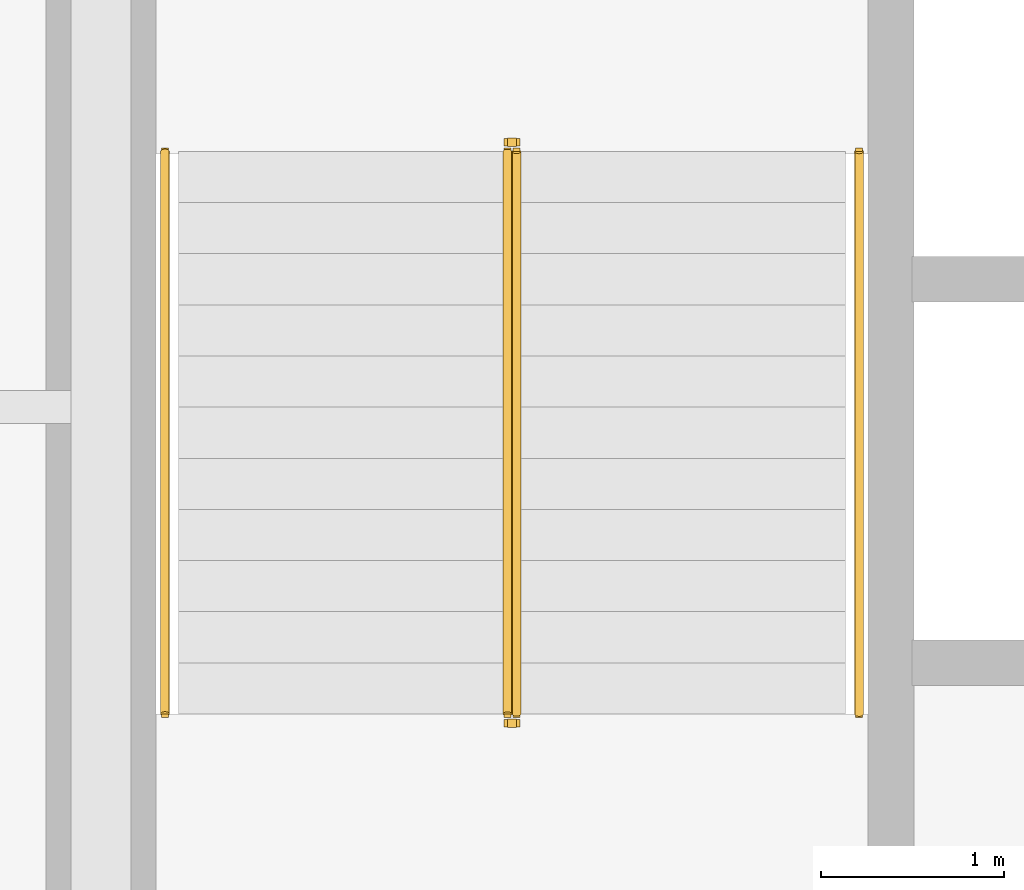
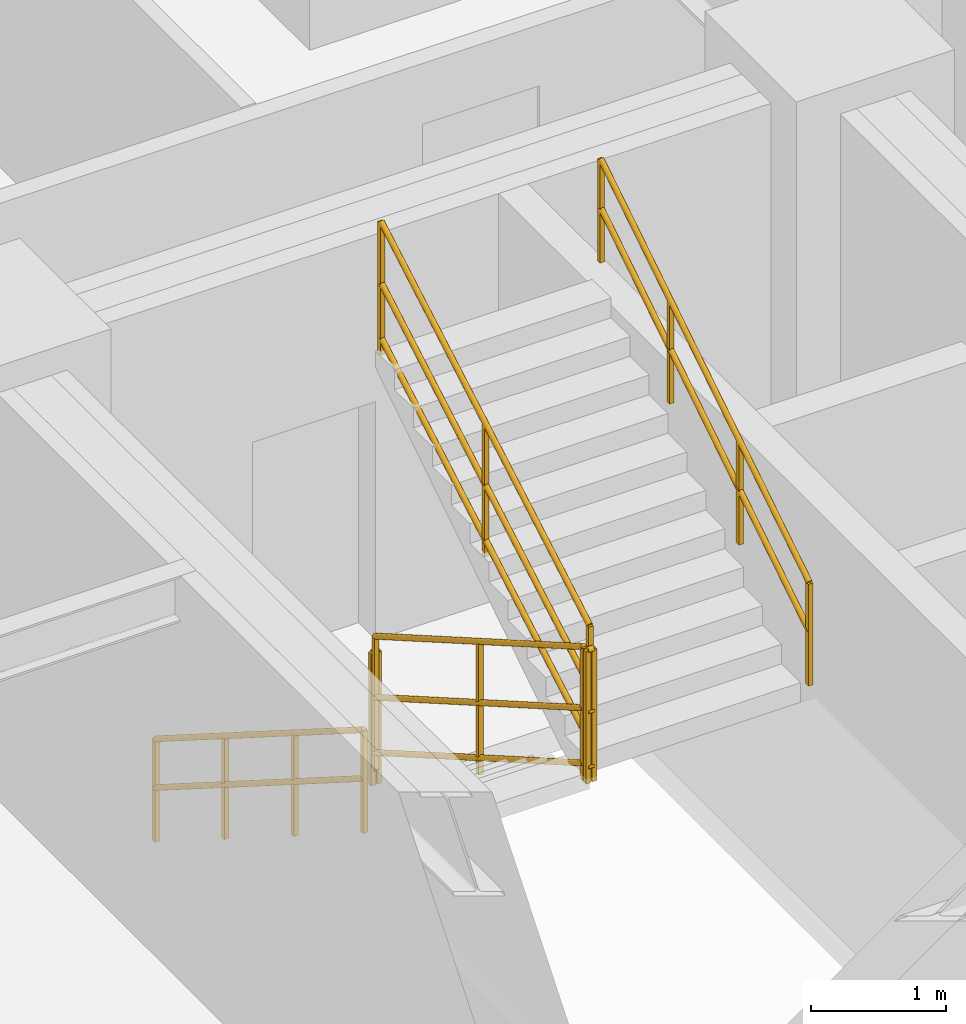
# One storey, part 9 of 9: 6 railings.
"""IFC4 building model written with IfcOpenShell, lengths in metres."""

import ifcopenshell
import ifcopenshell.guid

model = None  # the IFC model being written
_history = None  # IfcOwnerHistory: only IFC2X3 demands one
_inside = {}  # id of a spatial element -> (the spatial element, [elements in it])
_under = {}  # id of a project, library or spatial element -> (it, [spatial elements below it])
_declared = {}  # id of a project -> (the project, [libraries it declares])
_typed = {}  # id of a type object -> (the type object, [elements of that type])
_made_of = {}  # id of a material, layer set ... -> (it, [elements and type objects made of it])


def new_model(schema):
    """Start an empty IFC model of exactly this schema.

    Asked for "IFC4X3", IfcOpenShell would pick the latest addendum, in which some entities
    have other attributes; the version numbers below select the first issue.
    IFC2X3 requires an IfcOwnerHistory on every rooted entity: one is made here for all.
    """
    global model, _history
    if schema == "IFC4X3":
        model = ifcopenshell.file(schema_version=(4, 3, 0, 0))
    else:
        model = ifcopenshell.file(schema=schema)
    _inside.clear()
    _under.clear()
    _declared.clear()
    _typed.clear()
    _made_of.clear()
    _history = None
    if model.schema == "IFC2X3":
        org = make("IfcOrganization", Name="unknown")
        user = make(
            "IfcPersonAndOrganization",
            ThePerson=make("IfcPerson", FamilyName="unknown"),
            TheOrganization=org,
        )
        app = make(
            "IfcApplication",
            ApplicationDeveloper=org,
            Version="unknown",
            ApplicationFullName="unknown",
            ApplicationIdentifier="unknown",
        )
        _history = make(
            "IfcOwnerHistory",
            OwningUser=user,
            OwningApplication=app,
            ChangeAction="ADDED",
            CreationDate=0,
        )
    return model


def make(cls, **values):
    """One entity of the class cls with the attributes given. An attribute that is None is left unset."""
    return model.create_entity(
        cls, **{name: value for name, value in values.items() if value is not None}
    )


def entity(cls, *values):
    """Any entity or typed value of the class cls, its attributes in the order of the schema. None: left unset."""
    e = model.create_entity(cls)
    for i, value in enumerate(values):
        if value is not None:
            e[i] = value
    return e


def rooted(cls, **values):
    """An entity with a GlobalId (a new one), such as an element, a storey or a relation."""
    return make(cls, GlobalId=ifcopenshell.guid.new(), OwnerHistory=_history, **values)


def si_unit(unit_type, name, prefix=None):
    """IfcSIUnit, for example si_unit("LENGTHUNIT", "METRE", prefix="MILLI")."""
    return make("IfcSIUnit", UnitType=unit_type, Prefix=prefix, Name=name)


def converted_unit(unit_type, name, factor, base, dimensions=None, offset=None):
    """IfcConversionBasedUnit, such as the inch: factor (a typed value) times the base unit."""
    return make(
        "IfcConversionBasedUnit"
        if offset is None
        else "IfcConversionBasedUnitWithOffset",
        ConversionOffset=offset,
        Dimensions=None
        if dimensions is None
        else entity("IfcDimensionalExponents", *dimensions),
        UnitType=unit_type,
        Name=name,
        ConversionFactor=make(
            "IfcMeasureWithUnit", ValueComponent=factor, UnitComponent=base
        ),
    )


def assignment(units):
    """IfcUnitAssignment: the units of a project."""
    return None if units is None else make("IfcUnitAssignment", Units=units)


def point(xyz):
    """IfcCartesianPoint."""
    return None if xyz is None else make("IfcCartesianPoint", Coordinates=xyz)


def direction(xyz):
    """IfcDirection."""
    return None if xyz is None else make("IfcDirection", DirectionRatios=xyz)


def frame(location, z_axis=None, x_axis=None):
    """IfcAxis2Placement3D, a coordinate frame: its origin and axes. An axis left out is left unset."""
    return make(
        "IfcAxis2Placement3D",
        Location=point(location),
        Axis=direction(z_axis),
        RefDirection=direction(x_axis),
    )


def frame_2d(location, x_axis=None):
    """IfcAxis2Placement2D, a coordinate frame in the plane: its origin and x axis."""
    return make(
        "IfcAxis2Placement2D", Location=point(location), RefDirection=direction(x_axis)
    )


def origin_with_axes():
    """The frame at (0, 0, 0) with the z axis (0, 0, 1) and the x axis (1, 0, 0) written out."""
    return frame((0.0, 0.0, 0.0), z_axis=(0.0, 0.0, 1.0), x_axis=(1.0, 0.0, 0.0))


def origin_2d_with_axis():
    """The frame at (0, 0) in the plane with the x axis (1, 0) written out."""
    return frame_2d((0.0, 0.0), x_axis=(1.0, 0.0))


def place(relative_to, where):
    """IfcLocalPlacement: puts the frame where relative to a parent placement (None: the world)."""
    return make(
        "IfcLocalPlacement", PlacementRelTo=relative_to, RelativePlacement=where
    )


def context(
    kind, dimensions, precision=None, world=None, true_north=None, identifier=None
):
    """IfcGeometricRepresentationContext, for example the 3D "Model" context."""
    return make(
        "IfcGeometricRepresentationContext",
        ContextIdentifier=identifier,
        ContextType=kind,
        CoordinateSpaceDimension=dimensions,
        Precision=precision,
        WorldCoordinateSystem=world,
        TrueNorth=true_north,
    )


def subcontext(parent, identifier, kind, view, scale=None):
    """IfcGeometricRepresentationSubContext, for example "Body" below "Model"."""
    return make(
        "IfcGeometricRepresentationSubContext",
        ContextIdentifier=identifier,
        ContextType=kind,
        ParentContext=parent,
        TargetScale=scale,
        TargetView=view,
    )


def project(units=None, contexts=None):
    """IfcProject with its units and contexts."""
    return rooted(
        "IfcProject",
        Name="project",
        RepresentationContexts=contexts,
        UnitsInContext=assignment(units),
    )


def spatial(cls, under=None, at=None, **own):
    """A site, building, storey or space (cls), placed at a placement, below another one or the project."""
    s = rooted(cls, ObjectPlacement=at, **own)
    if under is not None:
        _under.setdefault(under.id(), (under, []))[1].append(s)
    return s


def profile(cls, at=None, kind="AREA", **sizes):
    """A parametric profile (cls). Its sizes go by their IFC names, for example OverallWidth=200.0."""
    return make(cls, ProfileType=kind, Position=at, **sizes)


def rectangle(**sizes):
    """IfcRectangleProfileDef."""
    return profile("IfcRectangleProfileDef", **sizes)


def circle(**sizes):
    """IfcCircleProfileDef."""
    return profile("IfcCircleProfileDef", **sizes)


def extrude(swept, where, along, depth):
    """IfcExtrudedAreaSolid: the profile swept, set in the frame where, extruded along a direction by depth."""
    return make(
        "IfcExtrudedAreaSolid",
        SweptArea=swept,
        Position=where,
        ExtrudedDirection=direction(along),
        Depth=depth,
    )


def shape(context_of_items, identifier, shape_type, items):
    """IfcShapeRepresentation: the items that make up one representation, for example the "Body"."""
    return make(
        "IfcShapeRepresentation",
        ContextOfItems=context_of_items,
        RepresentationIdentifier=identifier,
        RepresentationType=shape_type,
        Items=items,
    )


def material(Name=None, Category=None):
    """IfcMaterial."""
    return make("IfcMaterial", Name=Name, Category=Category)


def made_of(thing, what):
    """Note that an element or type object is made of a material, layer set ...; save() writes the relation."""
    if what is not None:
        _made_of.setdefault(what.id(), (what, []))[1].append(thing)
    return thing


def type_object(cls, material=None, **own):
    """A type object (cls), such as IfcWallType, which elements share."""
    return made_of(rooted(cls, **own), material)


def element(
    cls,
    number,
    at=None,
    inside=None,
    cuts=None,
    type_object=None,
    material=None,
    context=None,
    identifier="Body",
    shape_type=None,
    held_by="IfcProductDefinitionShape",
    body=None,
    shapes=None,
    **own,
):
    """One element of the class cls, such as IfcWall. Its Tag is "e" and its number.

    at: its placement. inside: the storey or other place that contains it. cuts: it is an
    opening in that element (IfcRelVoidsElement). A single representation is given by context,
    identifier, shape_type and body (its items); several are given by shapes. held_by: the class
    of the entity that holds the representations. save() writes the other relations.
    """
    e = rooted(cls, Tag="e%d" % number, ObjectPlacement=at, **own)
    if body is not None:
        shapes = [shape(context, identifier, shape_type, body)]
    if shapes is not None:
        e.Representation = make(held_by, Representations=shapes)
    if inside is not None:
        _inside.setdefault(inside.id(), (inside, []))[1].append(e)
    if cuts is not None:
        rooted(
            "IfcRelVoidsElement", RelatingBuildingElement=cuts, RelatedOpeningElement=e
        )
    if type_object is not None:
        _typed.setdefault(type_object.id(), (type_object, []))[1].append(e)
    return made_of(e, material)


def aggregate(whole, parts):
    """IfcRelAggregates: a whole, such as a stair, and the parts it consists of."""
    return rooted("IfcRelAggregates", RelatingObject=whole, RelatedObjects=parts)


def save(model, path):
    """Write the relations noted so far, then the file.

    IfcRelAggregates (storeys below a building ...), IfcRelContainedInSpatialStructure (elements
    in a storey), IfcRelDefinesByType, IfcRelAssociatesMaterial and IfcRelDeclares: one each for
    every whole, place, type object, material and project.
    """
    for whole, parts in _under.values():
        aggregate(whole, parts)
    for where, things in _inside.values():
        rooted(
            "IfcRelContainedInSpatialStructure",
            RelatedElements=things,
            RelatingStructure=where,
        )
    for kind, things in _typed.values():
        rooted("IfcRelDefinesByType", RelatedObjects=things, RelatingType=kind)
    for what, things in _made_of.values():
        rooted("IfcRelAssociatesMaterial", RelatedObjects=things, RelatingMaterial=what)
    for by, libraries in _declared.values():
        rooted("IfcRelDeclares", RelatingContext=by, RelatedDefinitions=libraries)
    model.write(path)


model = new_model("IFC4")

# Units and contexts
model_context = context("Model", 3, precision=1e-05, world=origin_with_axes(), true_north=direction((0.0, 1.0)))
body_context = subcontext(model_context, "Body", "Model", "MODEL_VIEW")
ifc_project = project(units=[si_unit("LENGTHUNIT", "METRE"), si_unit("AREAUNIT", "SQUARE_METRE"), si_unit("VOLUMEUNIT", "CUBIC_METRE"), converted_unit("PLANEANGLEUNIT", "DEGREE", entity("IfcPlaneAngleMeasure", 0.017453292519943295), si_unit("PLANEANGLEUNIT", "RADIAN"), dimensions=[0, 0, 0, 0, 0, 0, 0]), si_unit("MASSUNIT", "GRAM", prefix="KILO"), si_unit("THERMODYNAMICTEMPERATUREUNIT", "KELVIN")], contexts=[model_context])

# Site, building, storey
site_placement = place(None, origin_with_axes())
site = spatial("IfcSite", under=ifc_project, at=site_placement, CompositionType="ELEMENT")
building_placement = place(site_placement, origin_with_axes())
building = spatial("IfcBuilding", under=site, at=building_placement, Name="Varnlund Millrace Tower", CompositionType="ELEMENT")
storey_placement = place(building_placement, frame((0.0, 0.0, 71.7), z_axis=(0.0, 0.0, 1.0), x_axis=(1.0, 0.0, 0.0)))
storey = spatial("IfcBuildingStorey", under=building, at=storey_placement, Name="L17", CompositionType="ELEMENT", Elevation=71.7)

# Railings
ifc_material_1 = material(Name="Painted steel stair well balustrade guard", Category="steel")
railing_type_1 = type_object("IfcRailingType", Name="Type-StairGuard-1150", PredefinedType="GUARDRAIL", material=ifc_material_1)
railing_1_placement = place(storey_placement, frame((0.0, 0.0, -71.7), z_axis=(0.0, 0.0, 1.0), x_axis=(1.0, 0.0, 0.0)))
element("IfcRailing", 1, at=railing_1_placement, inside=storey, type_object=railing_type_1, Name="Type-StairGuard-1150", PredefinedType="GUARDRAIL", context=body_context, shape_type="SweptSolid", body=[
    extrude(circle(Radius=0.024, at=origin_2d_with_axis()), frame((13.625, 35.9, 73.027273), z_axis=(0.0, -0.866696, 0.498836), x_axis=(1.0, 0.0, 0.0)), (0.0, 0.0, 1.0), 3.553725),
    extrude(circle(Radius=0.024, at=origin_2d_with_axis()), frame((13.625, 35.9, 71.977273), z_axis=(0.0, -0.866696, 0.498836), x_axis=(1.0, 0.0, 0.0)), (0.0, 0.0, 1.0), 3.553725),
    extrude(circle(Radius=0.024, at=origin_2d_with_axis()), frame((13.625, 35.9, 72.475273), z_axis=(0.0, -0.866696, 0.498836), x_axis=(1.0, 0.0, 0.0)), (0.0, 0.0, 1.0), 3.553725),
    extrude(rectangle(XDim=0.04, YDim=0.04, at=origin_2d_with_axis()), frame((13.625, 35.9, 71.837273), z_axis=(0.0, 0.0, 1.0), x_axis=(1.0, 0.0, 0.0)), (0.0, 0.0, 1.0), 1.19),
    extrude(rectangle(XDim=0.04, YDim=0.04, at=origin_2d_with_axis()), frame((13.625, 34.36, 72.723636), z_axis=(0.0, 0.0, 1.0), x_axis=(1.0, 0.0, 0.0)), (0.0, 0.0, 1.0), 1.19),
    extrude(rectangle(XDim=0.04, YDim=0.04, at=origin_2d_with_axis()), frame((13.625, 32.82, 73.61), z_axis=(0.0, 0.0, 1.0), x_axis=(1.0, 0.0, 0.0)), (0.0, 0.0, 1.0), 1.19),
])
railing_2_placement = place(storey_placement, frame((0.0, 0.0, -71.7), z_axis=(0.0, 0.0, 1.0), x_axis=(1.0, 0.0, 0.0)))
element("IfcRailing", 2, at=railing_2_placement, inside=storey, type_object=railing_type_1, Name="Type-StairGuard-1150", PredefinedType="GUARDRAIL", context=body_context, shape_type="SweptSolid", body=[
    extrude(circle(Radius=0.024, at=origin_2d_with_axis()), frame((13.675, 32.77, 74.8), z_axis=(-1.0, 0.0, 0.0), x_axis=(0.0, -1.0, 0.0)), (0.0, 0.0, 1.0), 0.05),
    extrude(circle(Radius=0.024, at=origin_2d_with_axis()), frame((13.675, 32.77, 73.75), z_axis=(-1.0, 0.0, 0.0), x_axis=(0.0, -1.0, 0.0)), (0.0, 0.0, 1.0), 0.05),
    extrude(circle(Radius=0.024, at=origin_2d_with_axis()), frame((13.675, 32.77, 74.248), z_axis=(-1.0, 0.0, 0.0), x_axis=(0.0, -1.0, 0.0)), (0.0, 0.0, 1.0), 0.05),
    extrude(rectangle(XDim=0.04, YDim=0.04, at=origin_2d_with_axis()), frame((13.675, 32.77, 73.61), z_axis=(0.0, 0.0, 1.0), x_axis=(1.0, 0.0, 0.0)), (0.0, 0.0, 1.0), 1.19),
    extrude(rectangle(XDim=0.04, YDim=0.04, at=origin_2d_with_axis()), frame((13.625, 32.77, 73.61), z_axis=(0.0, 0.0, 1.0), x_axis=(1.0, 0.0, 0.0)), (0.0, 0.0, 1.0), 1.19),
])
railing_3_placement = place(storey_placement, frame((0.0, 0.0, -71.7), z_axis=(0.0, 0.0, 1.0), x_axis=(1.0, 0.0, 0.0)))
element("IfcRailing", 3, at=railing_3_placement, inside=storey, type_object=railing_type_1, Name="Type-StairGuard-1150", PredefinedType="GUARDRAIL", context=body_context, shape_type="SweptSolid", body=[
    extrude(circle(Radius=0.024, at=origin_2d_with_axis()), frame((13.675, 32.82, 74.977273), z_axis=(0.0, 0.866696, 0.498836), x_axis=(-1.0, 0.0, 0.0)), (0.0, 0.0, 1.0), 3.553725),
    extrude(circle(Radius=0.024, at=origin_2d_with_axis()), frame((13.675, 32.82, 73.927273), z_axis=(0.0, 0.866696, 0.498836), x_axis=(-1.0, 0.0, 0.0)), (0.0, 0.0, 1.0), 3.553725),
    extrude(circle(Radius=0.024, at=origin_2d_with_axis()), frame((13.675, 32.82, 74.425273), z_axis=(0.0, 0.866696, 0.498836), x_axis=(-1.0, 0.0, 0.0)), (0.0, 0.0, 1.0), 3.553725),
    extrude(rectangle(XDim=0.04, YDim=0.04, at=origin_2d_with_axis()), frame((13.675, 32.82, 73.787273), z_axis=(0.0, 0.0, 1.0), x_axis=(1.0, 0.0, 0.0)), (0.0, 0.0, 1.0), 1.19),
    extrude(rectangle(XDim=0.04, YDim=0.04, at=origin_2d_with_axis()), frame((13.675, 34.36, 74.673636), z_axis=(0.0, 0.0, 1.0), x_axis=(1.0, 0.0, 0.0)), (0.0, 0.0, 1.0), 1.19),
    extrude(rectangle(XDim=0.04, YDim=0.04, at=origin_2d_with_axis()), frame((13.675, 35.9, 75.56), z_axis=(0.0, 0.0, 1.0), x_axis=(1.0, 0.0, 0.0)), (0.0, 0.0, 1.0), 1.19),
])
railing_4_placement = place(storey_placement, frame((0.0, 0.0, -71.7), z_axis=(0.0, 0.0, 1.0), x_axis=(1.0, 0.0, 0.0)))
element("IfcRailing", 4, at=railing_4_placement, inside=storey, type_object=railing_type_1, Name="Type-StairGuard-1150", PredefinedType="GUARDRAIL", context=body_context, shape_type="SweptSolid", body=[
    extrude(circle(Radius=0.024, at=origin_2d_with_axis()), frame((13.675, 35.95, 72.85), z_axis=(-1.0, 0.0, 0.0), x_axis=(0.0, -1.0, 0.0)), (0.0, 0.0, 1.0), 0.05),
    extrude(circle(Radius=0.024, at=origin_2d_with_axis()), frame((13.675, 35.95, 71.8), z_axis=(-1.0, 0.0, 0.0), x_axis=(0.0, -1.0, 0.0)), (0.0, 0.0, 1.0), 0.05),
    extrude(circle(Radius=0.024, at=origin_2d_with_axis()), frame((13.675, 35.95, 72.298), z_axis=(-1.0, 0.0, 0.0), x_axis=(0.0, -1.0, 0.0)), (0.0, 0.0, 1.0), 0.05),
    extrude(rectangle(XDim=0.04, YDim=0.04, at=origin_2d_with_axis()), frame((13.675, 35.95, 71.66), z_axis=(0.0, 0.0, 1.0), x_axis=(1.0, 0.0, 0.0)), (0.0, 0.0, 1.0), 1.19),
    extrude(rectangle(XDim=0.04, YDim=0.04, at=origin_2d_with_axis()), frame((13.625, 35.95, 71.66), z_axis=(0.0, 0.0, 1.0), x_axis=(1.0, 0.0, 0.0)), (0.0, 0.0, 1.0), 1.19),
])
ifc_material_2 = material(Name="Brushed architectural bronze stair handrail", Category="aluminium")
railing_type_2 = type_object("IfcRailingType", Name="Type-StairHandrail-900", PredefinedType="HANDRAIL", material=ifc_material_2)
railing_5_placement = place(storey_placement, frame((0.0, 0.0, -71.7), z_axis=(0.0, 0.0, 1.0), x_axis=(1.0, 0.0, 0.0)))
element("IfcRailing", 5, at=railing_5_placement, inside=storey, type_object=railing_type_2, Name="Type-StairHandrail-900", PredefinedType="HANDRAIL", context=body_context, shape_type="SweptSolid", body=[
    extrude(circle(Radius=0.024, at=origin_2d_with_axis()), frame((11.75, 35.9, 72.756995), z_axis=(0.0, -0.844902, 0.534922), x_axis=(1.0, 0.0, 0.0)), (0.0, 0.0, 1.0), 3.645394),
    extrude(circle(Radius=0.024, at=origin_2d_with_axis()), frame((11.75, 35.9, 72.317134), z_axis=(0.0, -0.844902, 0.534922), x_axis=(1.0, 0.0, 0.0)), (0.0, 0.0, 1.0), 3.645394),
    extrude(rectangle(XDim=0.04, YDim=0.04, at=origin_2d_with_axis()), frame((11.75, 35.9, 71.837273), z_axis=(0.0, 0.0, 1.0), x_axis=(1.0, 0.0, 0.0)), (0.0, 0.0, 1.0), 0.919722),
    extrude(rectangle(XDim=0.04, YDim=0.04, at=origin_2d_with_axis()), frame((11.75, 34.873333, 72.487273), z_axis=(0.0, 0.0, 1.0), x_axis=(1.0, 0.0, 0.0)), (0.0, 0.0, 1.0), 0.919722),
    extrude(rectangle(XDim=0.04, YDim=0.04, at=origin_2d_with_axis()), frame((11.75, 33.846667, 73.137273), z_axis=(0.0, 0.0, 1.0), x_axis=(1.0, 0.0, 0.0)), (0.0, 0.0, 1.0), 0.919722),
    extrude(rectangle(XDim=0.04, YDim=0.04, at=origin_2d_with_axis()), frame((11.75, 32.82, 73.787273), z_axis=(0.0, 0.0, 1.0), x_axis=(1.0, 0.0, 0.0)), (0.0, 0.0, 1.0), 0.919722),
])
railing_6_placement = place(storey_placement, frame((0.0, 0.0, -71.7), z_axis=(0.0, 0.0, 1.0), x_axis=(1.0, 0.0, 0.0)))
element("IfcRailing", 6, at=railing_6_placement, inside=storey, type_object=railing_type_2, Name="Type-StairHandrail-900", PredefinedType="HANDRAIL", context=body_context, shape_type="SweptSolid", body=[
    extrude(circle(Radius=0.024, at=origin_2d_with_axis()), frame((15.55, 32.82, 74.706995), z_axis=(0.0, 0.844902, 0.534922), x_axis=(-1.0, 0.0, 0.0)), (0.0, 0.0, 1.0), 3.645394),
    extrude(circle(Radius=0.024, at=origin_2d_with_axis()), frame((15.55, 32.82, 74.267134), z_axis=(0.0, 0.844902, 0.534922), x_axis=(-1.0, 0.0, 0.0)), (0.0, 0.0, 1.0), 3.645394),
    extrude(rectangle(XDim=0.04, YDim=0.04, at=origin_2d_with_axis()), frame((15.55, 32.82, 73.787273), z_axis=(0.0, 0.0, 1.0), x_axis=(1.0, 0.0, 0.0)), (0.0, 0.0, 1.0), 0.919722),
    extrude(rectangle(XDim=0.04, YDim=0.04, at=origin_2d_with_axis()), frame((15.55, 33.846667, 74.437273), z_axis=(0.0, 0.0, 1.0), x_axis=(1.0, 0.0, 0.0)), (0.0, 0.0, 1.0), 0.919722),
    extrude(rectangle(XDim=0.04, YDim=0.04, at=origin_2d_with_axis()), frame((15.55, 34.873333, 75.087273), z_axis=(0.0, 0.0, 1.0), x_axis=(1.0, 0.0, 0.0)), (0.0, 0.0, 1.0), 0.919722),
    extrude(rectangle(XDim=0.04, YDim=0.04, at=origin_2d_with_axis()), frame((15.55, 35.9, 75.737273), z_axis=(0.0, 0.0, 1.0), x_axis=(1.0, 0.0, 0.0)), (0.0, 0.0, 1.0), 0.919722),
])

save(model, "model.ifc")
